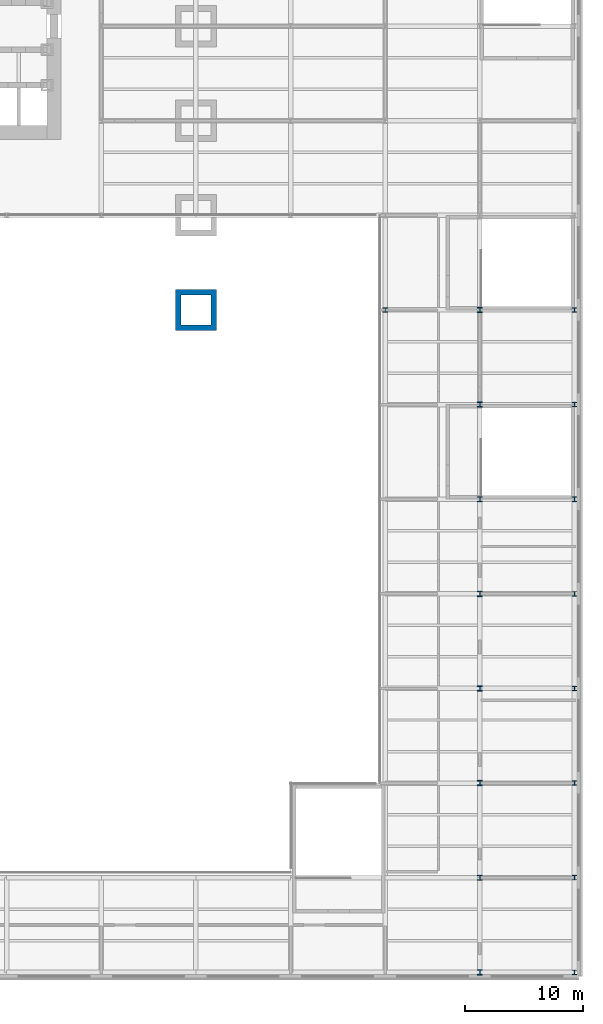
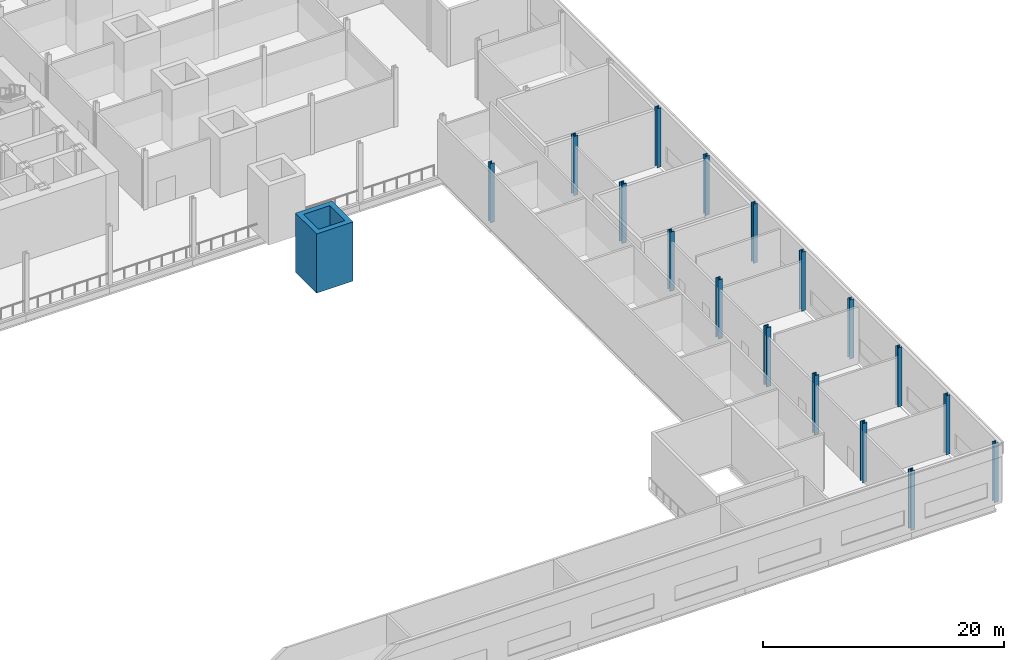
# One storey, part 2 of 21: 18 columns.
"""IFC4 building model written with IfcOpenShell, lengths in metres."""

from ifc_helpers import new_model, si_unit, direction, frame, origin, origin_2d, place, context, subcontext, project, spatial, hollow_rectangle, i_section, extrude, material, material_profile, profile_set, type_object, element, save


model = new_model("IFC4")

# Units and contexts
model_context = context("Model", 3, precision=1e-05, world=origin(), true_north=direction((0.0, 1.0)))
body_context = subcontext(model_context, "Body", "Model", "MODEL_VIEW")
ifc_project = project(units=[si_unit("LENGTHUNIT", "METRE"), si_unit("AREAUNIT", "SQUARE_METRE"), si_unit("VOLUMEUNIT", "CUBIC_METRE"), si_unit("PLANEANGLEUNIT", "RADIAN"), si_unit("MASSUNIT", "GRAM", prefix="KILO")], contexts=[model_context])

# Site, building, storey
site_placement = place(None, origin())
site = spatial("IfcSite", under=ifc_project, at=site_placement, CompositionType="ELEMENT")
building_placement = place(site_placement, origin())
building = spatial("IfcBuilding", under=site, at=building_placement, Name="Daluyong Arena Tower", CompositionType="ELEMENT")
storey_placement = place(building_placement, frame((0.0, 0.0, 19.89990234375)))
storey = spatial("IfcBuildingStorey", under=building, at=storey_placement, Name="L04", CompositionType="ELEMENT", Elevation=19.89990234375)

# Columns
ifc_material_1 = material(Name="Steel ASTM A913 Grade 65", Category="steel")
ifc_material_profile_1 = material_profile(ifc_material_1, i_section(OverallWidth=0.419189453125, OverallDepth=0.45458984375, WebThickness=0.042236328125, FlangeThickness=0.067626953125, at=origin_2d()))
ifc_profile_set_1 = profile_set([ifc_material_profile_1], Name="Steel ASTM A913 Grade 65")
column_type_1 = type_object("IfcColumnType", Name="Arena roof column W14X370", PredefinedType="COLUMN", material=ifc_profile_set_1)
for number, where, z_axis, x_axis, name in (
    (1, (104.0, 0.0, 0.0), (0.0, 0.0, 1.0), (1.0, 0.0, 0.0), "arena roof column AC1"),
    (2, (104.0, 8.0, 0.0), (0.0, 0.0, 1.0), (1.0, 0.0, 0.0), "arena roof column AC1"),
    (3, (104.0, 16.0, 0.0), (0.0, 0.0, 1.0), (1.0, 0.0, 0.0), "arena roof column AC1"),
    (4, (104.0, 24.0, 0.0), (0.0, 0.0, 1.0), (1.0, 0.0, 0.0), "arena roof column AC1"),
    (5, (104.0, 32.0, 0.0), (0.0, 0.0, 1.0), (1.0, 0.0, 0.0), "arena roof column AC1"),
    (6, (104.0, 40.0, 0.0), (0.0, 0.0, 1.0), (1.0, 0.0, 0.0), "arena roof column AC1"),
    (7, (104.0, 48.0, 0.0), (0.0, 0.0, 1.0), (1.0, 0.0, 0.0), "arena roof column AC1"),
    (8, (104.0, 56.0, 0.0), (0.0, 0.0, 1.0), (1.0, 0.0, 0.0), "arena roof column AC1"),
):
    element("IfcColumn", number, at=place(storey_placement, frame(where, z_axis=z_axis, x_axis=x_axis)), inside=storey, type_object=column_type_1, Name=name, PredefinedType="COLUMN", context=body_context, shape_type="SweptSolid", body=[
        extrude(i_section(OverallWidth=0.419189453125, OverallDepth=0.45458984375, WebThickness=0.042236328125, FlangeThickness=0.067626953125, at=origin_2d()), origin(), (0.0, 0.0, 1.0), 6.0),
    ])
ifc_material_2 = material(Name="Steel ASTM A992 Grade 50", Category="steel")
ifc_material_profile_2 = material_profile(ifc_material_2, i_section(OverallWidth=0.398681640625, OverallDepth=0.385986328125, WebThickness=0.02099609375, FlangeThickness=0.033203125, at=origin_2d()))
ifc_profile_set_2 = profile_set([ifc_material_profile_2], Name="Steel ASTM A992 Grade 50")
column_type_2 = type_object("IfcColumnType", Name="Podium column W14X176", PredefinedType="COLUMN", material=ifc_profile_set_2)
for number, where, z_axis, x_axis, name in (
    (9, (96.0, 56.0, 0.0), (0.0, 0.0, 1.0), (1.0, 0.0, 0.0), "podium column PC3"),
    (10, (112.0, 0.0, 0.0), (0.0, 0.0, 1.0), (1.0, 0.0, 0.0), "podium column PC3"),
    (11, (112.0, 8.0, 0.0), (0.0, 0.0, 1.0), (1.0, 0.0, 0.0), "podium column PC3"),
    (12, (112.0, 16.0, 0.0), (0.0, 0.0, 1.0), (1.0, 0.0, 0.0), "podium column PC3"),
    (13, (112.0, 24.0, 0.0), (0.0, 0.0, 1.0), (1.0, 0.0, 0.0), "podium column PC3"),
    (14, (112.0, 32.0, 0.0), (0.0, 0.0, 1.0), (1.0, 0.0, 0.0), "podium column PC3"),
    (15, (112.0, 40.0, 0.0), (0.0, 0.0, 1.0), (1.0, 0.0, 0.0), "podium column PC3"),
    (16, (112.0, 48.0, 0.0), (0.0, 0.0, 1.0), (1.0, 0.0, 0.0), "podium column PC3"),
    (17, (112.0, 56.0, 0.0), (0.0, 0.0, 1.0), (1.0, 0.0, 0.0), "podium column PC3"),
):
    element("IfcColumn", number, at=place(storey_placement, frame(where, z_axis=z_axis, x_axis=x_axis)), inside=storey, type_object=column_type_2, Name=name, PredefinedType="COLUMN", context=body_context, shape_type="SweptSolid", body=[
        extrude(i_section(OverallWidth=0.398681640625, OverallDepth=0.385986328125, WebThickness=0.02099609375, FlangeThickness=0.033203125, at=origin_2d()), origin(), (0.0, 0.0, 1.0), 6.0),
    ])
ifc_material_3 = material(Name="Steel ASTM A36", Category="steel")
ifc_material_profile_3 = material_profile(ifc_material_3, hollow_rectangle(XDim=3.5, YDim=3.5, WallThickness=0.5, at=origin_2d()))
ifc_profile_set_3 = profile_set([ifc_material_profile_3], Name="Steel ASTM A36")
column_type_3 = type_object("IfcColumnType", Name="Podium megacolumn BX3500X500", PredefinedType="COLUMN", material=ifc_profile_set_3)
column_placement = place(storey_placement, frame((80.0, 56.0, 0.0), z_axis=(0.0, 0.0, 1.0), x_axis=(1.0, 0.0, 0.0)))
element("IfcColumn", 18, at=column_placement, inside=storey, type_object=column_type_3, Name="podium megacolumn MC1", PredefinedType="COLUMN", context=body_context, shape_type="SweptSolid", body=[
    extrude(hollow_rectangle(XDim=3.5, YDim=3.5, WallThickness=0.5, at=origin_2d()), origin(), (0.0, 0.0, 1.0), 6.0),
])

save(model, "model.ifc")
